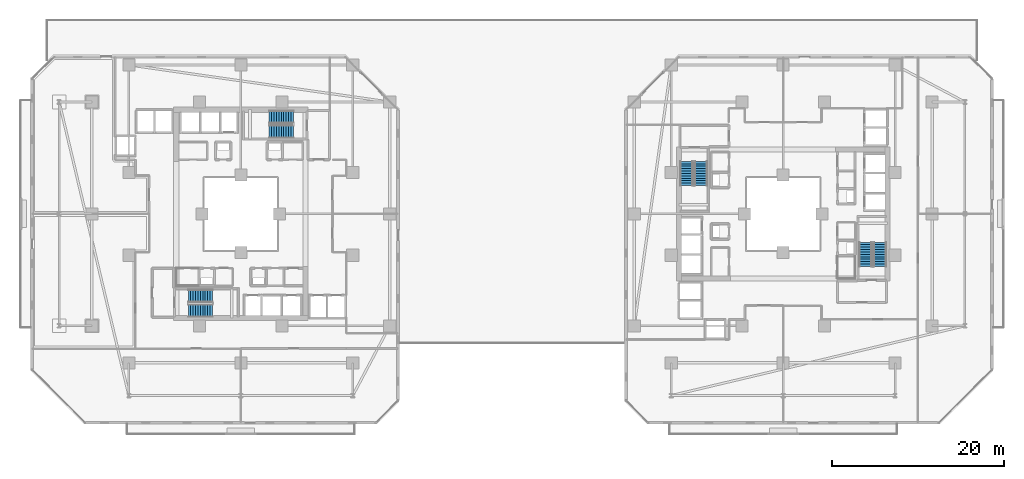
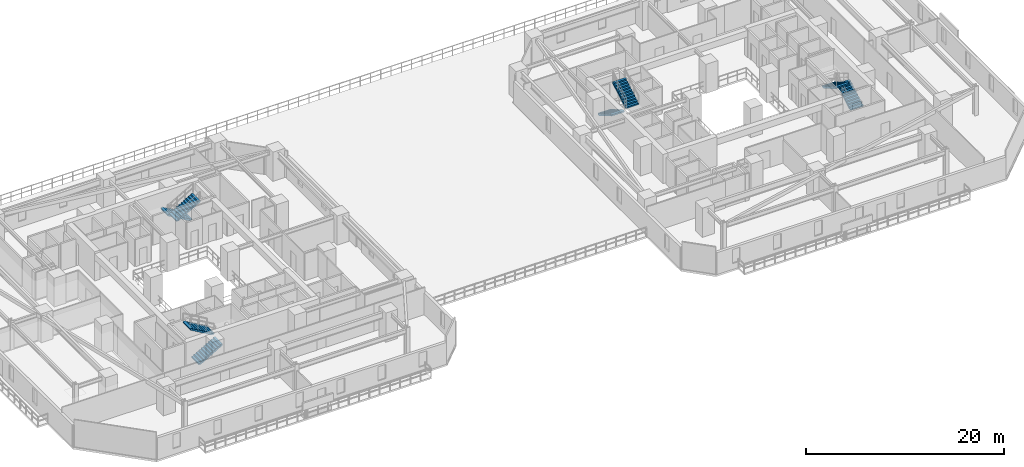
# One storey, part 26 of 34: 8 stair flights, 4 elements without a shape of their own.
"""IFC4 building model written with IfcOpenShell, lengths in metres."""

from ifc_helpers import new_model, si_unit, direction, frame, origin, place, context, subcontext, project, spatial, polyline, outline, extrude, material, type_object, element, aggregate, save


model = new_model("IFC4")

# Units and contexts
model_context = context("Model", 3, precision=1e-05, world=origin(), true_north=direction((0.0, 1.0)))
body_context = subcontext(model_context, "Body", "Model", "MODEL_VIEW")
ifc_project = project(units=[si_unit("LENGTHUNIT", "METRE"), si_unit("AREAUNIT", "SQUARE_METRE"), si_unit("VOLUMEUNIT", "CUBIC_METRE"), si_unit("PLANEANGLEUNIT", "RADIAN"), si_unit("MASSUNIT", "GRAM", prefix="KILO")], contexts=[model_context])

# Site, building, storey
site_placement = place(None, origin())
site = spatial("IfcSite", under=ifc_project, at=site_placement, CompositionType="ELEMENT")
building_placement = place(site_placement, origin())
building = spatial("IfcBuilding", under=site, at=building_placement, Name="Thornwick Lancets Civic Towers", CompositionType="ELEMENT")
storey_placement = place(building_placement, frame((0.0, 0.0, 27.89990234375)))
storey = spatial("IfcBuildingStorey", under=building, at=storey_placement, Name="L06", CompositionType="ELEMENT", Elevation=27.89990234375)

# Stair, stair flights
ifc_material = material(Name="Concrete C40/50", Category="concrete")
stair_type = type_object("IfcStairType", Name="STAIR_DL_3600", PredefinedType="HALF_TURN_STAIR", material=ifc_material)
stair_1_placement = place(storey_placement, origin())
stair_1 = element("IfcStair", 1, at=stair_1_placement, inside=storey, type_object=stair_type, Name="L06 Tower A South Exit Stair ST-A1", PredefinedType="HALF_TURN_STAIR")
stair_flight_type = type_object("IfcStairFlightType", Name="FLIGHT_3600", PredefinedType="STRAIGHT", material=ifc_material)
stair_flight_1_placement = place(storey_placement, frame((19.39990234375, 15.75, 0.0), z_axis=(0.0, 0.0, 1.0), x_axis=(1.0, 0.0, 0.0)))
stair_flight_1 = element("IfcStairFlight", 2, at=stair_flight_1_placement, type_object=stair_flight_type, Name="ST-A1 flight 1", NumberOfRisers=11, NumberOfTreads=10, PredefinedType="STRAIGHT", RiserHeight=0.163636364, TreadLength=0.28, context=body_context, shape_type="SweptSolid", body=[
    extrude(outline(polyline([(0.0, 0.0), (0.0, 0.16357421875), (0.280029296875, 0.16357421875), (0.280029296875, 0.327392578125), (0.56005859375, 0.327392578125), (0.56005859375, 0.490966796875), (0.840087890625, 0.490966796875), (0.840087890625, 0.654541015625), (1.1201171875, 0.654541015625), (1.1201171875, 0.818115234375), (1.39990234375, 0.818115234375), (1.39990234375, 0.98193359375), (1.679931640625, 0.98193359375), (1.679931640625, 1.1455078125), (1.9599609375, 1.1455078125), (1.9599609375, 1.30908203125), (2.239990234375, 1.30908203125), (2.239990234375, 1.47265625), (2.52001953125, 1.47265625), (2.52001953125, 1.636474609375), (2.800048828125, 1.636474609375), (2.800048828125, 1.800048828125), (2.800048828125, 1.462646484375), (0.297119140625, 0.0), (0.0, 0.0)])), frame((0.0, 0.75, 0.0), z_axis=(0.0, -1.0, 0.0), x_axis=(1.0, 0.0, 0.0)), (0.0, 0.0, 1.0), 1.5),
])
stair_flight_2_placement = place(storey_placement, frame((22.199951171875, 17.449951171875, 1.800048828125), z_axis=(0.0, 0.0, 1.0), x_axis=(-1.0, 0.0, 0.0)))
stair_flight_2 = element("IfcStairFlight", 3, at=stair_flight_2_placement, type_object=stair_flight_type, Name="ST-A1 flight 2", NumberOfRisers=11, NumberOfTreads=10, PredefinedType="STRAIGHT", RiserHeight=0.163636364, TreadLength=0.28, context=body_context, shape_type="SweptSolid", body=[
    extrude(outline(polyline([(0.0, 0.0), (0.0, 0.16357421875), (0.280029296875, 0.16357421875), (0.280029296875, 0.327392578125), (0.56005859375, 0.327392578125), (0.56005859375, 0.490966796875), (0.840087890625, 0.490966796875), (0.840087890625, 0.654541015625), (1.1201171875, 0.654541015625), (1.1201171875, 0.818115234375), (1.39990234375, 0.818115234375), (1.39990234375, 0.98193359375), (1.679931640625, 0.98193359375), (1.679931640625, 1.1455078125), (1.9599609375, 1.1455078125), (1.9599609375, 1.30908203125), (2.239990234375, 1.30908203125), (2.239990234375, 1.47265625), (2.52001953125, 1.47265625), (2.52001953125, 1.636474609375), (2.800048828125, 1.636474609375), (2.800048828125, 1.800048828125), (2.800048828125, 1.462646484375), (0.297119140625, 0.0), (0.0, 0.0)])), frame((0.0, 0.75, 0.0), z_axis=(0.0, -1.0, 0.0), x_axis=(1.0, 0.0, 0.0)), (0.0, 0.0, 1.0), 1.5),
])
aggregate(stair_1, [stair_flight_1, stair_flight_2])

stair_2_placement = place(storey_placement, origin())
stair_2 = element("IfcStair", 4, at=stair_2_placement, inside=storey, type_object=stair_type, Name="L06 Tower A North Exit Stair ST-A2", PredefinedType="HALF_TURN_STAIR")
stair_flight_3_placement = place(storey_placement, frame((31.60009765625, 38.25, 0.0), z_axis=(0.0, 0.0, 1.0), x_axis=(-1.0, 0.0, 0.0)))
stair_flight_3 = element("IfcStairFlight", 5, at=stair_flight_3_placement, type_object=stair_flight_type, Name="ST-A2 flight 1", NumberOfRisers=11, NumberOfTreads=10, PredefinedType="STRAIGHT", RiserHeight=0.163636364, TreadLength=0.28, context=body_context, shape_type="SweptSolid", body=[
    extrude(outline(polyline([(0.0, 0.0), (0.0, 0.16357421875), (0.280029296875, 0.16357421875), (0.280029296875, 0.327392578125), (0.56005859375, 0.327392578125), (0.56005859375, 0.490966796875), (0.840087890625, 0.490966796875), (0.840087890625, 0.654541015625), (1.1201171875, 0.654541015625), (1.1201171875, 0.818115234375), (1.39990234375, 0.818115234375), (1.39990234375, 0.98193359375), (1.679931640625, 0.98193359375), (1.679931640625, 1.1455078125), (1.9599609375, 1.1455078125), (1.9599609375, 1.30908203125), (2.239990234375, 1.30908203125), (2.239990234375, 1.47265625), (2.52001953125, 1.47265625), (2.52001953125, 1.636474609375), (2.800048828125, 1.636474609375), (2.800048828125, 1.800048828125), (2.800048828125, 1.462646484375), (0.297119140625, 0.0), (0.0, 0.0)])), frame((0.0, 0.75, 0.0), z_axis=(0.0, -1.0, 0.0), x_axis=(1.0, 0.0, 0.0)), (0.0, 0.0, 1.0), 1.5),
])
stair_flight_4_placement = place(storey_placement, frame((28.800048828125, 36.550048828125, 1.800048828125), z_axis=(0.0, 0.0, 1.0), x_axis=(1.0, 0.0, 0.0)))
stair_flight_4 = element("IfcStairFlight", 6, at=stair_flight_4_placement, type_object=stair_flight_type, Name="ST-A2 flight 2", NumberOfRisers=11, NumberOfTreads=10, PredefinedType="STRAIGHT", RiserHeight=0.163636364, TreadLength=0.28, context=body_context, shape_type="SweptSolid", body=[
    extrude(outline(polyline([(0.0, 0.0), (0.0, 0.16357421875), (0.280029296875, 0.16357421875), (0.280029296875, 0.327392578125), (0.56005859375, 0.327392578125), (0.56005859375, 0.490966796875), (0.840087890625, 0.490966796875), (0.840087890625, 0.654541015625), (1.1201171875, 0.654541015625), (1.1201171875, 0.818115234375), (1.39990234375, 0.818115234375), (1.39990234375, 0.98193359375), (1.679931640625, 0.98193359375), (1.679931640625, 1.1455078125), (1.9599609375, 1.1455078125), (1.9599609375, 1.30908203125), (2.239990234375, 1.30908203125), (2.239990234375, 1.47265625), (2.52001953125, 1.47265625), (2.52001953125, 1.636474609375), (2.800048828125, 1.636474609375), (2.800048828125, 1.800048828125), (2.800048828125, 1.462646484375), (0.297119140625, 0.0), (0.0, 0.0)])), frame((0.0, 0.75, 0.0), z_axis=(0.0, -1.0, 0.0), x_axis=(1.0, 0.0, 0.0)), (0.0, 0.0, 1.0), 1.5),
])
aggregate(stair_2, [stair_flight_3, stair_flight_4])

stair_3_placement = place(storey_placement, origin())
stair_3 = element("IfcStair", 7, at=stair_3_placement, inside=storey, type_object=stair_type, Name="L06 Tower B East Exit Stair ST-B1", PredefinedType="HALF_TURN_STAIR")
stair_flight_5_placement = place(storey_placement, frame((99.75, 20.89990234375, 0.0), z_axis=(0.0, 0.0, 1.0), x_axis=(0.0, 1.0, 0.0)))
stair_flight_5 = element("IfcStairFlight", 8, at=stair_flight_5_placement, type_object=stair_flight_type, Name="ST-B1 flight 1", NumberOfRisers=11, NumberOfTreads=10, PredefinedType="STRAIGHT", RiserHeight=0.163636364, TreadLength=0.28, context=body_context, shape_type="SweptSolid", body=[
    extrude(outline(polyline([(0.0, 0.0), (0.0, 0.16357421875), (0.280029296875, 0.16357421875), (0.280029296875, 0.327392578125), (0.56005859375, 0.327392578125), (0.56005859375, 0.490966796875), (0.840087890625, 0.490966796875), (0.840087890625, 0.654541015625), (1.1201171875, 0.654541015625), (1.1201171875, 0.818115234375), (1.39990234375, 0.818115234375), (1.39990234375, 0.98193359375), (1.679931640625, 0.98193359375), (1.679931640625, 1.1455078125), (1.9599609375, 1.1455078125), (1.9599609375, 1.30908203125), (2.239990234375, 1.30908203125), (2.239990234375, 1.47265625), (2.52001953125, 1.47265625), (2.52001953125, 1.636474609375), (2.800048828125, 1.636474609375), (2.800048828125, 1.800048828125), (2.800048828125, 1.462646484375), (0.297119140625, 0.0), (0.0, 0.0)])), frame((0.0, 0.75, 0.0), z_axis=(0.0, -1.0, 0.0), x_axis=(1.0, 0.0, 0.0)), (0.0, 0.0, 1.0), 1.5),
])
stair_flight_6_placement = place(storey_placement, frame((98.050048828125, 23.699951171875, 1.800048828125), z_axis=(0.0, 0.0, 1.0), x_axis=(0.0, -1.0, 0.0)))
stair_flight_6 = element("IfcStairFlight", 9, at=stair_flight_6_placement, type_object=stair_flight_type, Name="ST-B1 flight 2", NumberOfRisers=11, NumberOfTreads=10, PredefinedType="STRAIGHT", RiserHeight=0.163636364, TreadLength=0.28, context=body_context, shape_type="SweptSolid", body=[
    extrude(outline(polyline([(0.0, 0.0), (0.0, 0.16357421875), (0.280029296875, 0.16357421875), (0.280029296875, 0.327392578125), (0.56005859375, 0.327392578125), (0.56005859375, 0.490966796875), (0.840087890625, 0.490966796875), (0.840087890625, 0.654541015625), (1.1201171875, 0.654541015625), (1.1201171875, 0.818115234375), (1.39990234375, 0.818115234375), (1.39990234375, 0.98193359375), (1.679931640625, 0.98193359375), (1.679931640625, 1.1455078125), (1.9599609375, 1.1455078125), (1.9599609375, 1.30908203125), (2.239990234375, 1.30908203125), (2.239990234375, 1.47265625), (2.52001953125, 1.47265625), (2.52001953125, 1.636474609375), (2.800048828125, 1.636474609375), (2.800048828125, 1.800048828125), (2.800048828125, 1.462646484375), (0.297119140625, 0.0), (0.0, 0.0)])), frame((0.0, 0.75, 0.0), z_axis=(0.0, -1.0, 0.0), x_axis=(1.0, 0.0, 0.0)), (0.0, 0.0, 1.0), 1.5),
])
aggregate(stair_3, [stair_flight_5, stair_flight_6])

stair_4_placement = place(storey_placement, origin())
stair_4 = element("IfcStair", 10, at=stair_4_placement, inside=storey, type_object=stair_type, Name="L06 Tower B West Exit Stair ST-B2", PredefinedType="HALF_TURN_STAIR")
stair_flight_7_placement = place(storey_placement, frame((77.25, 33.10009765625, 0.0), z_axis=(0.0, 0.0, 1.0), x_axis=(0.0, -1.0, 0.0)))
stair_flight_7 = element("IfcStairFlight", 11, at=stair_flight_7_placement, type_object=stair_flight_type, Name="ST-B2 flight 1", NumberOfRisers=11, NumberOfTreads=10, PredefinedType="STRAIGHT", RiserHeight=0.163636364, TreadLength=0.28, context=body_context, shape_type="SweptSolid", body=[
    extrude(outline(polyline([(0.0, 0.0), (0.0, 0.16357421875), (0.280029296875, 0.16357421875), (0.280029296875, 0.327392578125), (0.56005859375, 0.327392578125), (0.56005859375, 0.490966796875), (0.840087890625, 0.490966796875), (0.840087890625, 0.654541015625), (1.1201171875, 0.654541015625), (1.1201171875, 0.818115234375), (1.39990234375, 0.818115234375), (1.39990234375, 0.98193359375), (1.679931640625, 0.98193359375), (1.679931640625, 1.1455078125), (1.9599609375, 1.1455078125), (1.9599609375, 1.30908203125), (2.239990234375, 1.30908203125), (2.239990234375, 1.47265625), (2.52001953125, 1.47265625), (2.52001953125, 1.636474609375), (2.800048828125, 1.636474609375), (2.800048828125, 1.800048828125), (2.800048828125, 1.462646484375), (0.297119140625, 0.0), (0.0, 0.0)])), frame((0.0, 0.75, 0.0), z_axis=(0.0, -1.0, 0.0), x_axis=(1.0, 0.0, 0.0)), (0.0, 0.0, 1.0), 1.5),
])
stair_flight_8_placement = place(storey_placement, frame((78.949951171875, 30.300048828125, 1.800048828125), z_axis=(0.0, 0.0, 1.0), x_axis=(0.0, 1.0, 0.0)))
stair_flight_8 = element("IfcStairFlight", 12, at=stair_flight_8_placement, type_object=stair_flight_type, Name="ST-B2 flight 2", NumberOfRisers=11, NumberOfTreads=10, PredefinedType="STRAIGHT", RiserHeight=0.163636364, TreadLength=0.28, context=body_context, shape_type="SweptSolid", body=[
    extrude(outline(polyline([(0.0, 0.0), (0.0, 0.16357421875), (0.280029296875, 0.16357421875), (0.280029296875, 0.327392578125), (0.56005859375, 0.327392578125), (0.56005859375, 0.490966796875), (0.840087890625, 0.490966796875), (0.840087890625, 0.654541015625), (1.1201171875, 0.654541015625), (1.1201171875, 0.818115234375), (1.39990234375, 0.818115234375), (1.39990234375, 0.98193359375), (1.679931640625, 0.98193359375), (1.679931640625, 1.1455078125), (1.9599609375, 1.1455078125), (1.9599609375, 1.30908203125), (2.239990234375, 1.30908203125), (2.239990234375, 1.47265625), (2.52001953125, 1.47265625), (2.52001953125, 1.636474609375), (2.800048828125, 1.636474609375), (2.800048828125, 1.800048828125), (2.800048828125, 1.462646484375), (0.297119140625, 0.0), (0.0, 0.0)])), frame((0.0, 0.75, 0.0), z_axis=(0.0, -1.0, 0.0), x_axis=(1.0, 0.0, 0.0)), (0.0, 0.0, 1.0), 1.5),
])
aggregate(stair_4, [stair_flight_7, stair_flight_8])

save(model, "model.ifc")
